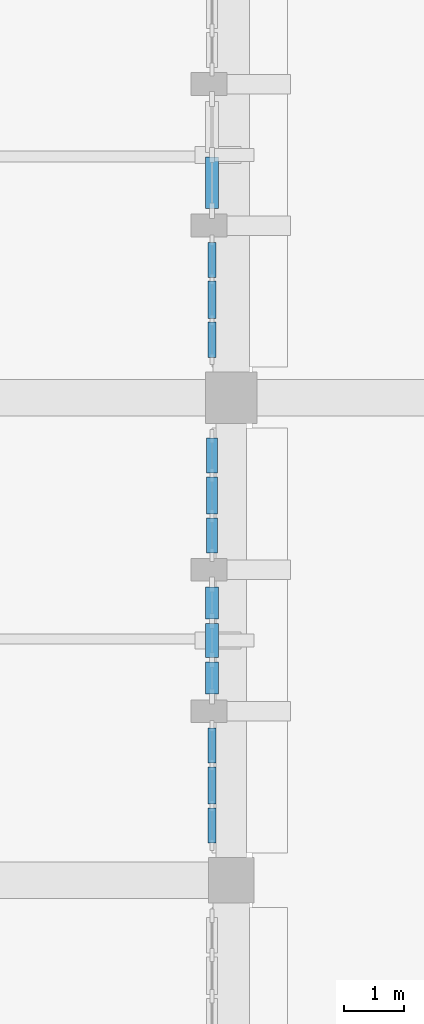
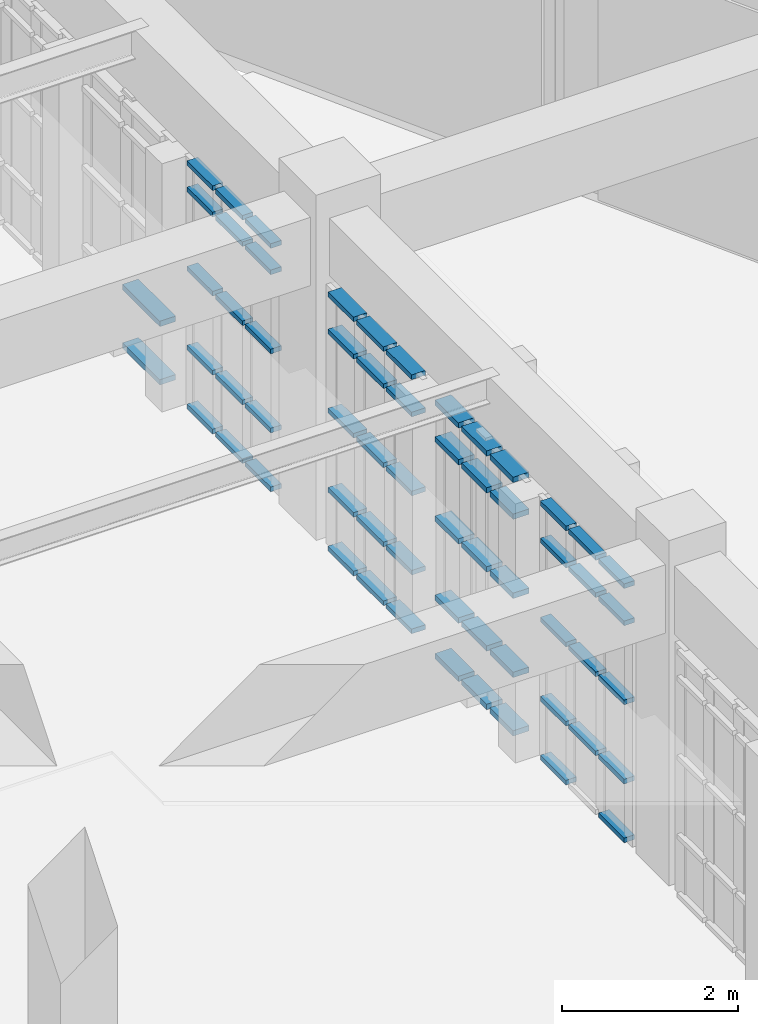
# One storey, part 54 of 155: 61 members, 5 elements without a shape of their own.
"""IFC4 building model written with IfcOpenShell, lengths in metres."""

from ifc_helpers import new_model, si_unit, direction, frame, origin, origin_2d, place, context, subcontext, project, spatial, rectangle, extrude, material, layer, layer_set, material_profile, profile_set, type_object, element, aggregate, save


model = new_model("IFC4")

# Units and contexts
model_context = context("Model", 3, precision=1e-05, world=origin(), true_north=direction((0.0, 1.0)))
body_context = subcontext(model_context, "Body", "Model", "MODEL_VIEW")
ifc_project = project(units=[si_unit("LENGTHUNIT", "METRE"), si_unit("AREAUNIT", "SQUARE_METRE"), si_unit("VOLUMEUNIT", "CUBIC_METRE"), si_unit("PLANEANGLEUNIT", "RADIAN"), si_unit("MASSUNIT", "GRAM", prefix="KILO")], contexts=[model_context])

# Site, building, storey
site_placement = place(None, origin())
site = spatial("IfcSite", under=ifc_project, at=site_placement, CompositionType="ELEMENT")
building_placement = place(site_placement, origin())
building = spatial("IfcBuilding", under=site, at=building_placement, Name="Tazarka Park Arena", CompositionType="ELEMENT")
storey_placement = place(building_placement, frame((0.0, 0.0, 5.39990234375)))
storey = spatial("IfcBuildingStorey", under=building, at=storey_placement, Name="L01", CompositionType="ELEMENT", Elevation=5.39990234375)

# Curtain wall, members
ifc_material_1 = material(Name="Aluminium and low-e glass", Category="aluminium")
ifc_layer_1 = layer(ifc_material_1, 0.179931640625, Name="Aluminium and low-e glass")
ifc_layer_set_1 = layer_set([ifc_layer_1], Name="Aluminium and low-e glass")
curtain_wall_type_1 = type_object("IfcCurtainWallType", Name="CW-06", PredefinedType="NOTDEFINED", material=ifc_layer_set_1)
curtain_wall_1_placement = place(storey_placement, origin())
curtain_wall_1 = element("IfcCurtainWall", 1, at=curtain_wall_1_placement, inside=storey, type_object=curtain_wall_type_1, Name="Curtain Wall CWA-L01-096", PredefinedType="NOTDEFINED")
ifc_material_2 = material(Name="Aluminium 6060-T66", Category="aluminium")
ifc_material_profile_1 = material_profile(ifc_material_2, rectangle(XDim=0.139892578125, YDim=0.06494140625, at=origin_2d()), Name="Aluminium 6060-T66")
ifc_profile_set_1 = profile_set([ifc_material_profile_1], Name="Aluminium 6060-T66")
member_type_1 = type_object("IfcMemberType", Name="CWT-01", PredefinedType="USERDEFINED", material=ifc_profile_set_1)
member_1_placement = place(storey_placement, frame((47.679931640625, 26.526611328125, 0.03271484375), z_axis=(0.0, -1.0, 0.0), x_axis=(1.0, 0.0, 0.0)))
member_1 = element("IfcMember", 2, at=member_1_placement, type_object=member_type_1, Name="CW-06 transom 1.1", ObjectType="TRANSOM", PredefinedType="USERDEFINED", context=body_context, shape_type="SweptSolid", body=[
    extrude(rectangle(XDim=0.139892578125, YDim=0.06494140625, at=origin_2d()), origin(), (0.0, 0.0, 1.0), 0.581298828125),
])
member_2_placement = place(storey_placement, frame((47.679931640625, 26.526611328125, 0.85009765625), z_axis=(0.0, -1.0, 0.0), x_axis=(1.0, 0.0, 0.0)))
member_2 = element("IfcMember", 3, at=member_2_placement, type_object=member_type_1, Name="CW-06 transom 1.2", ObjectType="TRANSOM", PredefinedType="USERDEFINED", context=body_context, shape_type="SweptSolid", body=[
    extrude(rectangle(XDim=0.139892578125, YDim=0.06494140625, at=origin_2d()), origin(), (0.0, 0.0, 1.0), 0.581298828125),
])
member_3_placement = place(storey_placement, frame((47.679931640625, 26.526611328125, 1.9501953125), z_axis=(0.0, -1.0, 0.0), x_axis=(1.0, 0.0, 0.0)))
member_3 = element("IfcMember", 4, at=member_3_placement, type_object=member_type_1, Name="CW-06 transom 1.3", ObjectType="TRANSOM", PredefinedType="USERDEFINED", context=body_context, shape_type="SweptSolid", body=[
    extrude(rectangle(XDim=0.139892578125, YDim=0.06494140625, at=origin_2d()), origin(), (0.0, 0.0, 1.0), 0.581298828125),
])
member_4_placement = place(storey_placement, frame((47.679931640625, 26.526611328125, 3.050048828125), z_axis=(0.0, -1.0, 0.0), x_axis=(1.0, 0.0, 0.0)))
member_4 = element("IfcMember", 5, at=member_4_placement, type_object=member_type_1, Name="CW-06 transom 1.4", ObjectType="TRANSOM", PredefinedType="USERDEFINED", context=body_context, shape_type="SweptSolid", body=[
    extrude(rectangle(XDim=0.139892578125, YDim=0.06494140625, at=origin_2d()), origin(), (0.0, 0.0, 1.0), 0.581298828125),
])
member_5_placement = place(storey_placement, frame((47.679931640625, 26.526611328125, 3.567626953125), z_axis=(0.0, -1.0, 0.0), x_axis=(1.0, 0.0, 0.0)))
member_5 = element("IfcMember", 6, at=member_5_placement, type_object=member_type_1, Name="CW-06 transom 1.5", ObjectType="TRANSOM", PredefinedType="USERDEFINED", context=body_context, shape_type="SweptSolid", body=[
    extrude(rectangle(XDim=0.139892578125, YDim=0.06494140625, at=origin_2d()), origin(), (0.0, 0.0, 1.0), 0.581298828125),
])
member_6_placement = place(storey_placement, frame((47.679931640625, 25.88037109375, 0.85009765625), z_axis=(0.0, -1.0, 0.0), x_axis=(1.0, 0.0, 0.0)))
member_6 = element("IfcMember", 7, at=member_6_placement, type_object=member_type_1, Name="CW-06 transom 2.2", ObjectType="TRANSOM", PredefinedType="USERDEFINED", context=body_context, shape_type="SweptSolid", body=[
    extrude(rectangle(XDim=0.139892578125, YDim=0.06494140625, at=origin_2d()), origin(), (0.0, 0.0, 1.0), 0.614013671875),
])
member_7_placement = place(storey_placement, frame((47.679931640625, 25.88037109375, 1.9501953125), z_axis=(0.0, -1.0, 0.0), x_axis=(1.0, 0.0, 0.0)))
member_7 = element("IfcMember", 8, at=member_7_placement, type_object=member_type_1, Name="CW-06 transom 2.3", ObjectType="TRANSOM", PredefinedType="USERDEFINED", context=body_context, shape_type="SweptSolid", body=[
    extrude(rectangle(XDim=0.139892578125, YDim=0.06494140625, at=origin_2d()), origin(), (0.0, 0.0, 1.0), 0.614013671875),
])
member_8_placement = place(storey_placement, frame((47.679931640625, 25.88037109375, 3.050048828125), z_axis=(0.0, -1.0, 0.0), x_axis=(1.0, 0.0, 0.0)))
member_8 = element("IfcMember", 9, at=member_8_placement, type_object=member_type_1, Name="CW-06 transom 2.4", ObjectType="TRANSOM", PredefinedType="USERDEFINED", context=body_context, shape_type="SweptSolid", body=[
    extrude(rectangle(XDim=0.139892578125, YDim=0.06494140625, at=origin_2d()), origin(), (0.0, 0.0, 1.0), 0.614013671875),
])
member_9_placement = place(storey_placement, frame((47.679931640625, 25.88037109375, 3.567626953125), z_axis=(0.0, -1.0, 0.0), x_axis=(1.0, 0.0, 0.0)))
member_9 = element("IfcMember", 10, at=member_9_placement, type_object=member_type_1, Name="CW-06 transom 2.5", ObjectType="TRANSOM", PredefinedType="USERDEFINED", context=body_context, shape_type="SweptSolid", body=[
    extrude(rectangle(XDim=0.139892578125, YDim=0.06494140625, at=origin_2d()), origin(), (0.0, 0.0, 1.0), 0.614013671875),
])
member_10_placement = place(storey_placement, frame((47.679931640625, 25.201416015625, 0.03271484375), z_axis=(0.0, -1.0, 0.0), x_axis=(1.0, 0.0, 0.0)))
member_10 = element("IfcMember", 11, at=member_10_placement, type_object=member_type_1, Name="CW-06 transom 3.1", ObjectType="TRANSOM", PredefinedType="USERDEFINED", context=body_context, shape_type="SweptSolid", body=[
    extrude(rectangle(XDim=0.139892578125, YDim=0.06494140625, at=origin_2d()), origin(), (0.0, 0.0, 1.0), 0.581298828125),
])
member_11_placement = place(storey_placement, frame((47.679931640625, 25.201416015625, 0.85009765625), z_axis=(0.0, -1.0, 0.0), x_axis=(1.0, 0.0, 0.0)))
member_11 = element("IfcMember", 12, at=member_11_placement, type_object=member_type_1, Name="CW-06 transom 3.2", ObjectType="TRANSOM", PredefinedType="USERDEFINED", context=body_context, shape_type="SweptSolid", body=[
    extrude(rectangle(XDim=0.139892578125, YDim=0.06494140625, at=origin_2d()), origin(), (0.0, 0.0, 1.0), 0.581298828125),
])
member_12_placement = place(storey_placement, frame((47.679931640625, 25.201416015625, 1.9501953125), z_axis=(0.0, -1.0, 0.0), x_axis=(1.0, 0.0, 0.0)))
member_12 = element("IfcMember", 13, at=member_12_placement, type_object=member_type_1, Name="CW-06 transom 3.3", ObjectType="TRANSOM", PredefinedType="USERDEFINED", context=body_context, shape_type="SweptSolid", body=[
    extrude(rectangle(XDim=0.139892578125, YDim=0.06494140625, at=origin_2d()), origin(), (0.0, 0.0, 1.0), 0.581298828125),
])
member_13_placement = place(storey_placement, frame((47.679931640625, 25.201416015625, 3.050048828125), z_axis=(0.0, -1.0, 0.0), x_axis=(1.0, 0.0, 0.0)))
member_13 = element("IfcMember", 14, at=member_13_placement, type_object=member_type_1, Name="CW-06 transom 3.4", ObjectType="TRANSOM", PredefinedType="USERDEFINED", context=body_context, shape_type="SweptSolid", body=[
    extrude(rectangle(XDim=0.139892578125, YDim=0.06494140625, at=origin_2d()), origin(), (0.0, 0.0, 1.0), 0.581298828125),
])
member_14_placement = place(storey_placement, frame((47.679931640625, 25.201416015625, 3.567626953125), z_axis=(0.0, -1.0, 0.0), x_axis=(1.0, 0.0, 0.0)))
member_14 = element("IfcMember", 15, at=member_14_placement, type_object=member_type_1, Name="CW-06 transom 3.5", ObjectType="TRANSOM", PredefinedType="USERDEFINED", context=body_context, shape_type="SweptSolid", body=[
    extrude(rectangle(XDim=0.139892578125, YDim=0.06494140625, at=origin_2d()), origin(), (0.0, 0.0, 1.0), 0.581298828125),
])
aggregate(curtain_wall_1, [member_1, member_2, member_3, member_4, member_5, member_6, member_7, member_8, member_9, member_10, member_11, member_12, member_13, member_14])

ifc_material_3 = material(Name="Aluminium and low-e glass", Category="aluminium")
ifc_layer_2 = layer(ifc_material_3, 0.179931640625, Name="Aluminium and low-e glass")
ifc_layer_set_2 = layer_set([ifc_layer_2], Name="Aluminium and low-e glass")
curtain_wall_type_2 = type_object("IfcCurtainWallType", Name="CW-09", PredefinedType="NOTDEFINED", material=ifc_layer_set_2)
curtain_wall_2_placement = place(storey_placement, origin())
curtain_wall_2 = element("IfcCurtainWall", 16, at=curtain_wall_2_placement, inside=storey, type_object=curtain_wall_type_2, Name="Curtain Wall CWA-L01-099", PredefinedType="NOTDEFINED")
member_15_placement = place(storey_placement, frame((47.679931640625, 34.57666015625, 0.03271484375), z_axis=(0.0, -1.0, 0.0), x_axis=(1.0, 0.0, 0.0)))
member_15 = element("IfcMember", 17, at=member_15_placement, type_object=member_type_1, Name="CW-09 transom 1.1", ObjectType="TRANSOM", PredefinedType="USERDEFINED", context=body_context, shape_type="SweptSolid", body=[
    extrude(rectangle(XDim=0.139892578125, YDim=0.06494140625, at=origin_2d()), origin(), (0.0, 0.0, 1.0), 0.581298828125),
])
member_16_placement = place(storey_placement, frame((47.679931640625, 34.57666015625, 0.85009765625), z_axis=(0.0, -1.0, 0.0), x_axis=(1.0, 0.0, 0.0)))
member_16 = element("IfcMember", 18, at=member_16_placement, type_object=member_type_1, Name="CW-09 transom 1.2", ObjectType="TRANSOM", PredefinedType="USERDEFINED", context=body_context, shape_type="SweptSolid", body=[
    extrude(rectangle(XDim=0.139892578125, YDim=0.06494140625, at=origin_2d()), origin(), (0.0, 0.0, 1.0), 0.581298828125),
])
member_17_placement = place(storey_placement, frame((47.679931640625, 34.57666015625, 1.9501953125), z_axis=(0.0, -1.0, 0.0), x_axis=(1.0, 0.0, 0.0)))
member_17 = element("IfcMember", 19, at=member_17_placement, type_object=member_type_1, Name="CW-09 transom 1.3", ObjectType="TRANSOM", PredefinedType="USERDEFINED", context=body_context, shape_type="SweptSolid", body=[
    extrude(rectangle(XDim=0.139892578125, YDim=0.06494140625, at=origin_2d()), origin(), (0.0, 0.0, 1.0), 0.581298828125),
])
member_18_placement = place(storey_placement, frame((47.679931640625, 34.57666015625, 3.050048828125), z_axis=(0.0, -1.0, 0.0), x_axis=(1.0, 0.0, 0.0)))
member_18 = element("IfcMember", 20, at=member_18_placement, type_object=member_type_1, Name="CW-09 transom 1.4", ObjectType="TRANSOM", PredefinedType="USERDEFINED", context=body_context, shape_type="SweptSolid", body=[
    extrude(rectangle(XDim=0.139892578125, YDim=0.06494140625, at=origin_2d()), origin(), (0.0, 0.0, 1.0), 0.581298828125),
])
member_19_placement = place(storey_placement, frame((47.679931640625, 34.57666015625, 3.41748046875), z_axis=(0.0, -1.0, 0.0), x_axis=(1.0, 0.0, 0.0)))
member_19 = element("IfcMember", 21, at=member_19_placement, type_object=member_type_1, Name="CW-09 transom 1.5", ObjectType="TRANSOM", PredefinedType="USERDEFINED", context=body_context, shape_type="SweptSolid", body=[
    extrude(rectangle(XDim=0.139892578125, YDim=0.06494140625, at=origin_2d()), origin(), (0.0, 0.0, 1.0), 0.581298828125),
])
member_20_placement = place(storey_placement, frame((47.679931640625, 33.930419921875, 0.03271484375), z_axis=(0.0, -1.0, 0.0), x_axis=(1.0, 0.0, 0.0)))
member_20 = element("IfcMember", 22, at=member_20_placement, type_object=member_type_1, Name="CW-09 transom 2.1", ObjectType="TRANSOM", PredefinedType="USERDEFINED", context=body_context, shape_type="SweptSolid", body=[
    extrude(rectangle(XDim=0.139892578125, YDim=0.06494140625, at=origin_2d()), origin(), (0.0, 0.0, 1.0), 0.614013671875),
])
member_21_placement = place(storey_placement, frame((47.679931640625, 33.930419921875, 0.85009765625), z_axis=(0.0, -1.0, 0.0), x_axis=(1.0, 0.0, 0.0)))
member_21 = element("IfcMember", 23, at=member_21_placement, type_object=member_type_1, Name="CW-09 transom 2.2", ObjectType="TRANSOM", PredefinedType="USERDEFINED", context=body_context, shape_type="SweptSolid", body=[
    extrude(rectangle(XDim=0.139892578125, YDim=0.06494140625, at=origin_2d()), origin(), (0.0, 0.0, 1.0), 0.614013671875),
])
member_22_placement = place(storey_placement, frame((47.679931640625, 33.930419921875, 1.9501953125), z_axis=(0.0, -1.0, 0.0), x_axis=(1.0, 0.0, 0.0)))
member_22 = element("IfcMember", 24, at=member_22_placement, type_object=member_type_1, Name="CW-09 transom 2.3", ObjectType="TRANSOM", PredefinedType="USERDEFINED", context=body_context, shape_type="SweptSolid", body=[
    extrude(rectangle(XDim=0.139892578125, YDim=0.06494140625, at=origin_2d()), origin(), (0.0, 0.0, 1.0), 0.614013671875),
])
member_23_placement = place(storey_placement, frame((47.679931640625, 33.930419921875, 3.050048828125), z_axis=(0.0, -1.0, 0.0), x_axis=(1.0, 0.0, 0.0)))
member_23 = element("IfcMember", 25, at=member_23_placement, type_object=member_type_1, Name="CW-09 transom 2.4", ObjectType="TRANSOM", PredefinedType="USERDEFINED", context=body_context, shape_type="SweptSolid", body=[
    extrude(rectangle(XDim=0.139892578125, YDim=0.06494140625, at=origin_2d()), origin(), (0.0, 0.0, 1.0), 0.614013671875),
])
member_24_placement = place(storey_placement, frame((47.679931640625, 33.930419921875, 3.41748046875), z_axis=(0.0, -1.0, 0.0), x_axis=(1.0, 0.0, 0.0)))
member_24 = element("IfcMember", 26, at=member_24_placement, type_object=member_type_1, Name="CW-09 transom 2.5", ObjectType="TRANSOM", PredefinedType="USERDEFINED", context=body_context, shape_type="SweptSolid", body=[
    extrude(rectangle(XDim=0.139892578125, YDim=0.06494140625, at=origin_2d()), origin(), (0.0, 0.0, 1.0), 0.614013671875),
])
member_25_placement = place(storey_placement, frame((47.679931640625, 33.25146484375, 0.03271484375), z_axis=(0.0, -1.0, 0.0), x_axis=(1.0, 0.0, 0.0)))
member_25 = element("IfcMember", 27, at=member_25_placement, type_object=member_type_1, Name="CW-09 transom 3.1", ObjectType="TRANSOM", PredefinedType="USERDEFINED", context=body_context, shape_type="SweptSolid", body=[
    extrude(rectangle(XDim=0.139892578125, YDim=0.06494140625, at=origin_2d()), origin(), (0.0, 0.0, 1.0), 0.58154296875),
])
member_26_placement = place(storey_placement, frame((47.679931640625, 33.25146484375, 0.85009765625), z_axis=(0.0, -1.0, 0.0), x_axis=(1.0, 0.0, 0.0)))
member_26 = element("IfcMember", 28, at=member_26_placement, type_object=member_type_1, Name="CW-09 transom 3.2", ObjectType="TRANSOM", PredefinedType="USERDEFINED", context=body_context, shape_type="SweptSolid", body=[
    extrude(rectangle(XDim=0.139892578125, YDim=0.06494140625, at=origin_2d()), origin(), (0.0, 0.0, 1.0), 0.58154296875),
])
member_27_placement = place(storey_placement, frame((47.679931640625, 33.25146484375, 1.9501953125), z_axis=(0.0, -1.0, 0.0), x_axis=(1.0, 0.0, 0.0)))
member_27 = element("IfcMember", 29, at=member_27_placement, type_object=member_type_1, Name="CW-09 transom 3.3", ObjectType="TRANSOM", PredefinedType="USERDEFINED", context=body_context, shape_type="SweptSolid", body=[
    extrude(rectangle(XDim=0.139892578125, YDim=0.06494140625, at=origin_2d()), origin(), (0.0, 0.0, 1.0), 0.58154296875),
])
member_28_placement = place(storey_placement, frame((47.679931640625, 33.25146484375, 3.050048828125), z_axis=(0.0, -1.0, 0.0), x_axis=(1.0, 0.0, 0.0)))
member_28 = element("IfcMember", 30, at=member_28_placement, type_object=member_type_1, Name="CW-09 transom 3.4", ObjectType="TRANSOM", PredefinedType="USERDEFINED", context=body_context, shape_type="SweptSolid", body=[
    extrude(rectangle(XDim=0.139892578125, YDim=0.06494140625, at=origin_2d()), origin(), (0.0, 0.0, 1.0), 0.58154296875),
])
member_29_placement = place(storey_placement, frame((47.679931640625, 33.25146484375, 3.41748046875), z_axis=(0.0, -1.0, 0.0), x_axis=(1.0, 0.0, 0.0)))
member_29 = element("IfcMember", 31, at=member_29_placement, type_object=member_type_1, Name="CW-09 transom 3.5", ObjectType="TRANSOM", PredefinedType="USERDEFINED", context=body_context, shape_type="SweptSolid", body=[
    extrude(rectangle(XDim=0.139892578125, YDim=0.06494140625, at=origin_2d()), origin(), (0.0, 0.0, 1.0), 0.58154296875),
])
aggregate(curtain_wall_2, [member_15, member_16, member_17, member_18, member_19, member_20, member_21, member_22, member_23, member_24, member_25, member_26, member_27, member_28, member_29])

ifc_material_4 = material(Name="Aluminium and low-e glass", Category="aluminium")
ifc_layer_3 = layer(ifc_material_4, 0.179931640625, Name="Aluminium and low-e glass")
ifc_layer_set_3 = layer_set([ifc_layer_3], Name="Aluminium and low-e glass")
curtain_wall_type_3 = type_object("IfcCurtainWallType", Name="CW-04", PredefinedType="NOTDEFINED", material=ifc_layer_set_3)
curtain_wall_3_placement = place(storey_placement, origin())
curtain_wall_3 = element("IfcCurtainWall", 32, at=curtain_wall_3_placement, inside=storey, type_object=curtain_wall_type_3, Name="Curtain Wall CWA-L01-094", PredefinedType="NOTDEFINED")
ifc_material_5 = material(Name="Aluminium 6060-T66", Category="aluminium")
ifc_material_profile_2 = material_profile(ifc_material_5, rectangle(XDim=0.179931640625, YDim=0.06494140625, at=origin_2d()), Name="Aluminium 6060-T66")
ifc_profile_set_2 = profile_set([ifc_material_profile_2], Name="Aluminium 6060-T66")
member_type_2 = type_object("IfcMemberType", Name="CWT-02", PredefinedType="USERDEFINED", material=ifc_profile_set_2)
member_30_placement = place(storey_placement, frame((47.679931640625, 31.330078125, 0.03271484375), z_axis=(0.0, -1.0, 0.0), x_axis=(1.0, 0.0, 0.0)))
member_30 = element("IfcMember", 33, at=member_30_placement, type_object=member_type_2, Name="CW-04 transom 1.1", ObjectType="TRANSOM", PredefinedType="USERDEFINED", context=body_context, shape_type="SweptSolid", body=[
    extrude(rectangle(XDim=0.179931640625, YDim=0.06494140625, at=origin_2d()), origin(), (0.0, 0.0, 1.0), 0.58154296875),
])
member_31_placement = place(storey_placement, frame((47.679931640625, 31.330078125, 0.85009765625), z_axis=(0.0, -1.0, 0.0), x_axis=(1.0, 0.0, 0.0)))
member_31 = element("IfcMember", 34, at=member_31_placement, type_object=member_type_2, Name="CW-04 transom 1.2", ObjectType="TRANSOM", PredefinedType="USERDEFINED", context=body_context, shape_type="SweptSolid", body=[
    extrude(rectangle(XDim=0.179931640625, YDim=0.06494140625, at=origin_2d()), origin(), (0.0, 0.0, 1.0), 0.58154296875),
])
member_32_placement = place(storey_placement, frame((47.679931640625, 31.330078125, 1.9501953125), z_axis=(0.0, -1.0, 0.0), x_axis=(1.0, 0.0, 0.0)))
member_32 = element("IfcMember", 35, at=member_32_placement, type_object=member_type_2, Name="CW-04 transom 1.3", ObjectType="TRANSOM", PredefinedType="USERDEFINED", context=body_context, shape_type="SweptSolid", body=[
    extrude(rectangle(XDim=0.179931640625, YDim=0.06494140625, at=origin_2d()), origin(), (0.0, 0.0, 1.0), 0.58154296875),
])
member_33_placement = place(storey_placement, frame((47.679931640625, 31.330078125, 3.050048828125), z_axis=(0.0, -1.0, 0.0), x_axis=(1.0, 0.0, 0.0)))
member_33 = element("IfcMember", 36, at=member_33_placement, type_object=member_type_2, Name="CW-04 transom 1.4", ObjectType="TRANSOM", PredefinedType="USERDEFINED", context=body_context, shape_type="SweptSolid", body=[
    extrude(rectangle(XDim=0.179931640625, YDim=0.06494140625, at=origin_2d()), origin(), (0.0, 0.0, 1.0), 0.58154296875),
])
member_34_placement = place(storey_placement, frame((47.679931640625, 31.330078125, 3.567626953125), z_axis=(0.0, -1.0, 0.0), x_axis=(1.0, 0.0, 0.0)))
member_34 = element("IfcMember", 37, at=member_34_placement, type_object=member_type_2, Name="CW-04 transom 1.5", ObjectType="TRANSOM", PredefinedType="USERDEFINED", context=body_context, shape_type="SweptSolid", body=[
    extrude(rectangle(XDim=0.179931640625, YDim=0.06494140625, at=origin_2d()), origin(), (0.0, 0.0, 1.0), 0.58154296875),
])
member_35_placement = place(storey_placement, frame((47.679931640625, 30.68359375, 0.03271484375), z_axis=(0.0, -1.0, 0.0), x_axis=(1.0, 0.0, 0.0)))
member_35 = element("IfcMember", 38, at=member_35_placement, type_object=member_type_2, Name="CW-04 transom 2.1", ObjectType="TRANSOM", PredefinedType="USERDEFINED", context=body_context, shape_type="SweptSolid", body=[
    extrude(rectangle(XDim=0.179931640625, YDim=0.06494140625, at=origin_2d()), origin(), (0.0, 0.0, 1.0), 0.614013671875),
])
member_36_placement = place(storey_placement, frame((47.679931640625, 30.68359375, 0.85009765625), z_axis=(0.0, -1.0, 0.0), x_axis=(1.0, 0.0, 0.0)))
member_36 = element("IfcMember", 39, at=member_36_placement, type_object=member_type_2, Name="CW-04 transom 2.2", ObjectType="TRANSOM", PredefinedType="USERDEFINED", context=body_context, shape_type="SweptSolid", body=[
    extrude(rectangle(XDim=0.179931640625, YDim=0.06494140625, at=origin_2d()), origin(), (0.0, 0.0, 1.0), 0.614013671875),
])
member_37_placement = place(storey_placement, frame((47.679931640625, 30.68359375, 1.9501953125), z_axis=(0.0, -1.0, 0.0), x_axis=(1.0, 0.0, 0.0)))
member_37 = element("IfcMember", 40, at=member_37_placement, type_object=member_type_2, Name="CW-04 transom 2.3", ObjectType="TRANSOM", PredefinedType="USERDEFINED", context=body_context, shape_type="SweptSolid", body=[
    extrude(rectangle(XDim=0.179931640625, YDim=0.06494140625, at=origin_2d()), origin(), (0.0, 0.0, 1.0), 0.614013671875),
])
member_38_placement = place(storey_placement, frame((47.679931640625, 30.68359375, 3.050048828125), z_axis=(0.0, -1.0, 0.0), x_axis=(1.0, 0.0, 0.0)))
member_38 = element("IfcMember", 41, at=member_38_placement, type_object=member_type_2, Name="CW-04 transom 2.4", ObjectType="TRANSOM", PredefinedType="USERDEFINED", context=body_context, shape_type="SweptSolid", body=[
    extrude(rectangle(XDim=0.179931640625, YDim=0.06494140625, at=origin_2d()), origin(), (0.0, 0.0, 1.0), 0.614013671875),
])
member_39_placement = place(storey_placement, frame((47.679931640625, 30.68359375, 3.567626953125), z_axis=(0.0, -1.0, 0.0), x_axis=(1.0, 0.0, 0.0)))
member_39 = element("IfcMember", 42, at=member_39_placement, type_object=member_type_2, Name="CW-04 transom 2.5", ObjectType="TRANSOM", PredefinedType="USERDEFINED", context=body_context, shape_type="SweptSolid", body=[
    extrude(rectangle(XDim=0.179931640625, YDim=0.06494140625, at=origin_2d()), origin(), (0.0, 0.0, 1.0), 0.614013671875),
])
member_40_placement = place(storey_placement, frame((47.679931640625, 30.004638671875, 0.03271484375), z_axis=(0.0, -1.0, 0.0), x_axis=(1.0, 0.0, 0.0)))
member_40 = element("IfcMember", 43, at=member_40_placement, type_object=member_type_2, Name="CW-04 transom 3.1", ObjectType="TRANSOM", PredefinedType="USERDEFINED", context=body_context, shape_type="SweptSolid", body=[
    extrude(rectangle(XDim=0.179931640625, YDim=0.06494140625, at=origin_2d()), origin(), (0.0, 0.0, 1.0), 0.581298828125),
])
member_41_placement = place(storey_placement, frame((47.679931640625, 30.004638671875, 0.85009765625), z_axis=(0.0, -1.0, 0.0), x_axis=(1.0, 0.0, 0.0)))
member_41 = element("IfcMember", 44, at=member_41_placement, type_object=member_type_2, Name="CW-04 transom 3.2", ObjectType="TRANSOM", PredefinedType="USERDEFINED", context=body_context, shape_type="SweptSolid", body=[
    extrude(rectangle(XDim=0.179931640625, YDim=0.06494140625, at=origin_2d()), origin(), (0.0, 0.0, 1.0), 0.581298828125),
])
member_42_placement = place(storey_placement, frame((47.679931640625, 30.004638671875, 1.9501953125), z_axis=(0.0, -1.0, 0.0), x_axis=(1.0, 0.0, 0.0)))
member_42 = element("IfcMember", 45, at=member_42_placement, type_object=member_type_2, Name="CW-04 transom 3.3", ObjectType="TRANSOM", PredefinedType="USERDEFINED", context=body_context, shape_type="SweptSolid", body=[
    extrude(rectangle(XDim=0.179931640625, YDim=0.06494140625, at=origin_2d()), origin(), (0.0, 0.0, 1.0), 0.581298828125),
])
member_43_placement = place(storey_placement, frame((47.679931640625, 30.004638671875, 3.050048828125), z_axis=(0.0, -1.0, 0.0), x_axis=(1.0, 0.0, 0.0)))
member_43 = element("IfcMember", 46, at=member_43_placement, type_object=member_type_2, Name="CW-04 transom 3.4", ObjectType="TRANSOM", PredefinedType="USERDEFINED", context=body_context, shape_type="SweptSolid", body=[
    extrude(rectangle(XDim=0.179931640625, YDim=0.06494140625, at=origin_2d()), origin(), (0.0, 0.0, 1.0), 0.581298828125),
])
member_44_placement = place(storey_placement, frame((47.679931640625, 30.004638671875, 3.567626953125), z_axis=(0.0, -1.0, 0.0), x_axis=(1.0, 0.0, 0.0)))
member_44 = element("IfcMember", 47, at=member_44_placement, type_object=member_type_2, Name="CW-04 transom 3.5", ObjectType="TRANSOM", PredefinedType="USERDEFINED", context=body_context, shape_type="SweptSolid", body=[
    extrude(rectangle(XDim=0.179931640625, YDim=0.06494140625, at=origin_2d()), origin(), (0.0, 0.0, 1.0), 0.581298828125),
])
aggregate(curtain_wall_3, [member_30, member_31, member_32, member_33, member_34, member_35, member_36, member_37, member_38, member_39, member_40, member_41, member_42, member_43, member_44])

ifc_material_6 = material(Name="Aluminium and low-e glass", Category="aluminium")
ifc_layer_4 = layer(ifc_material_6, 0.179931640625, Name="Aluminium and low-e glass")
ifc_layer_set_4 = layer_set([ifc_layer_4], Name="Aluminium and low-e glass")
curtain_wall_type_4 = type_object("IfcCurtainWallType", Name="CW-05", PredefinedType="NOTDEFINED", material=ifc_layer_set_4)
curtain_wall_4_placement = place(storey_placement, origin())
curtain_wall_4 = element("IfcCurtainWall", 48, at=curtain_wall_4_placement, inside=storey, type_object=curtain_wall_type_4, Name="Curtain Wall CWA-L01-095", PredefinedType="NOTDEFINED")
ifc_material_7 = material(Name="Aluminium 6060-T66", Category="aluminium")
ifc_material_profile_3 = material_profile(ifc_material_7, rectangle(XDim=0.2099609375, YDim=0.074951171875, at=origin_2d()), Name="Aluminium 6060-T66")
ifc_profile_set_3 = profile_set([ifc_material_profile_3], Name="Aluminium 6060-T66")
member_type_3 = type_object("IfcMemberType", Name="CWT-03", PredefinedType="USERDEFINED", material=ifc_profile_set_3)
member_45_placement = place(storey_placement, frame((47.679931640625, 28.86328125, 0.03759765625), z_axis=(0.0, -1.0, 0.0), x_axis=(1.0, 0.0, 0.0)))
member_45 = element("IfcMember", 49, at=member_45_placement, type_object=member_type_3, Name="CW-05 transom 1.1", ObjectType="TRANSOM", PredefinedType="USERDEFINED", context=body_context, shape_type="SweptSolid", body=[
    extrude(rectangle(XDim=0.2099609375, YDim=0.074951171875, at=origin_2d()), origin(), (0.0, 0.0, 1.0), 0.52978515625),
])
member_46_placement = place(storey_placement, frame((47.679931640625, 28.86328125, 0.85009765625), z_axis=(0.0, -1.0, 0.0), x_axis=(1.0, 0.0, 0.0)))
member_46 = element("IfcMember", 50, at=member_46_placement, type_object=member_type_3, Name="CW-05 transom 1.2", ObjectType="TRANSOM", PredefinedType="USERDEFINED", context=body_context, shape_type="SweptSolid", body=[
    extrude(rectangle(XDim=0.2099609375, YDim=0.074951171875, at=origin_2d()), origin(), (0.0, 0.0, 1.0), 0.52978515625),
])
member_47_placement = place(storey_placement, frame((47.679931640625, 28.86328125, 1.9501953125), z_axis=(0.0, -1.0, 0.0), x_axis=(1.0, 0.0, 0.0)))
member_47 = element("IfcMember", 51, at=member_47_placement, type_object=member_type_3, Name="CW-05 transom 1.3", ObjectType="TRANSOM", PredefinedType="USERDEFINED", context=body_context, shape_type="SweptSolid", body=[
    extrude(rectangle(XDim=0.2099609375, YDim=0.074951171875, at=origin_2d()), origin(), (0.0, 0.0, 1.0), 0.52978515625),
])
member_48_placement = place(storey_placement, frame((47.679931640625, 28.86328125, 3.050048828125), z_axis=(0.0, -1.0, 0.0), x_axis=(1.0, 0.0, 0.0)))
member_48 = element("IfcMember", 52, at=member_48_placement, type_object=member_type_3, Name="CW-05 transom 1.4", ObjectType="TRANSOM", PredefinedType="USERDEFINED", context=body_context, shape_type="SweptSolid", body=[
    extrude(rectangle(XDim=0.2099609375, YDim=0.074951171875, at=origin_2d()), origin(), (0.0, 0.0, 1.0), 0.52978515625),
])
member_49_placement = place(storey_placement, frame((47.679931640625, 28.86328125, 3.5625), z_axis=(0.0, -1.0, 0.0), x_axis=(1.0, 0.0, 0.0)))
member_49 = element("IfcMember", 53, at=member_49_placement, type_object=member_type_3, Name="CW-05 transom 1.5", ObjectType="TRANSOM", PredefinedType="USERDEFINED", context=body_context, shape_type="SweptSolid", body=[
    extrude(rectangle(XDim=0.2099609375, YDim=0.074951171875, at=origin_2d()), origin(), (0.0, 0.0, 1.0), 0.52978515625),
])
member_50_placement = place(storey_placement, frame((47.679931640625, 28.258544921875, 0.03759765625), z_axis=(0.0, -1.0, 0.0), x_axis=(1.0, 0.0, 0.0)))
member_50 = element("IfcMember", 54, at=member_50_placement, type_object=member_type_3, Name="CW-05 transom 2.1", ObjectType="TRANSOM", PredefinedType="USERDEFINED", context=body_context, shape_type="SweptSolid", body=[
    extrude(rectangle(XDim=0.2099609375, YDim=0.074951171875, at=origin_2d()), origin(), (0.0, 0.0, 1.0), 0.567138671875),
])
member_51_placement = place(storey_placement, frame((47.679931640625, 28.258544921875, 0.85009765625), z_axis=(0.0, -1.0, 0.0), x_axis=(1.0, 0.0, 0.0)))
member_51 = element("IfcMember", 55, at=member_51_placement, type_object=member_type_3, Name="CW-05 transom 2.2", ObjectType="TRANSOM", PredefinedType="USERDEFINED", context=body_context, shape_type="SweptSolid", body=[
    extrude(rectangle(XDim=0.2099609375, YDim=0.074951171875, at=origin_2d()), origin(), (0.0, 0.0, 1.0), 0.567138671875),
])
member_52_placement = place(storey_placement, frame((47.679931640625, 28.258544921875, 1.9501953125), z_axis=(0.0, -1.0, 0.0), x_axis=(1.0, 0.0, 0.0)))
member_52 = element("IfcMember", 56, at=member_52_placement, type_object=member_type_3, Name="CW-05 transom 2.3", ObjectType="TRANSOM", PredefinedType="USERDEFINED", context=body_context, shape_type="SweptSolid", body=[
    extrude(rectangle(XDim=0.2099609375, YDim=0.074951171875, at=origin_2d()), origin(), (0.0, 0.0, 1.0), 0.567138671875),
])
member_53_placement = place(storey_placement, frame((47.679931640625, 28.258544921875, 3.050048828125), z_axis=(0.0, -1.0, 0.0), x_axis=(1.0, 0.0, 0.0)))
member_53 = element("IfcMember", 57, at=member_53_placement, type_object=member_type_3, Name="CW-05 transom 2.4", ObjectType="TRANSOM", PredefinedType="USERDEFINED", context=body_context, shape_type="SweptSolid", body=[
    extrude(rectangle(XDim=0.2099609375, YDim=0.074951171875, at=origin_2d()), origin(), (0.0, 0.0, 1.0), 0.567138671875),
])
member_54_placement = place(storey_placement, frame((47.679931640625, 28.258544921875, 3.5625), z_axis=(0.0, -1.0, 0.0), x_axis=(1.0, 0.0, 0.0)))
member_54 = element("IfcMember", 58, at=member_54_placement, type_object=member_type_3, Name="CW-05 transom 2.5", ObjectType="TRANSOM", PredefinedType="USERDEFINED", context=body_context, shape_type="SweptSolid", body=[
    extrude(rectangle(XDim=0.2099609375, YDim=0.074951171875, at=origin_2d()), origin(), (0.0, 0.0, 1.0), 0.567138671875),
])
member_55_placement = place(storey_placement, frame((47.679931640625, 27.616455078125, 0.03759765625), z_axis=(0.0, -1.0, 0.0), x_axis=(1.0, 0.0, 0.0)))
member_55 = element("IfcMember", 59, at=member_55_placement, type_object=member_type_3, Name="CW-05 transom 3.1", ObjectType="TRANSOM", PredefinedType="USERDEFINED", context=body_context, shape_type="SweptSolid", body=[
    extrude(rectangle(XDim=0.2099609375, YDim=0.074951171875, at=origin_2d()), origin(), (0.0, 0.0, 1.0), 0.52978515625),
])
member_56_placement = place(storey_placement, frame((47.679931640625, 27.616455078125, 0.85009765625), z_axis=(0.0, -1.0, 0.0), x_axis=(1.0, 0.0, 0.0)))
member_56 = element("IfcMember", 60, at=member_56_placement, type_object=member_type_3, Name="CW-05 transom 3.2", ObjectType="TRANSOM", PredefinedType="USERDEFINED", context=body_context, shape_type="SweptSolid", body=[
    extrude(rectangle(XDim=0.2099609375, YDim=0.074951171875, at=origin_2d()), origin(), (0.0, 0.0, 1.0), 0.52978515625),
])
member_57_placement = place(storey_placement, frame((47.679931640625, 27.616455078125, 1.9501953125), z_axis=(0.0, -1.0, 0.0), x_axis=(1.0, 0.0, 0.0)))
member_57 = element("IfcMember", 61, at=member_57_placement, type_object=member_type_3, Name="CW-05 transom 3.3", ObjectType="TRANSOM", PredefinedType="USERDEFINED", context=body_context, shape_type="SweptSolid", body=[
    extrude(rectangle(XDim=0.2099609375, YDim=0.074951171875, at=origin_2d()), origin(), (0.0, 0.0, 1.0), 0.52978515625),
])
member_58_placement = place(storey_placement, frame((47.679931640625, 27.616455078125, 3.050048828125), z_axis=(0.0, -1.0, 0.0), x_axis=(1.0, 0.0, 0.0)))
member_58 = element("IfcMember", 62, at=member_58_placement, type_object=member_type_3, Name="CW-05 transom 3.4", ObjectType="TRANSOM", PredefinedType="USERDEFINED", context=body_context, shape_type="SweptSolid", body=[
    extrude(rectangle(XDim=0.2099609375, YDim=0.074951171875, at=origin_2d()), origin(), (0.0, 0.0, 1.0), 0.52978515625),
])
member_59_placement = place(storey_placement, frame((47.679931640625, 27.616455078125, 3.5625), z_axis=(0.0, -1.0, 0.0), x_axis=(1.0, 0.0, 0.0)))
member_59 = element("IfcMember", 63, at=member_59_placement, type_object=member_type_3, Name="CW-05 transom 3.5", ObjectType="TRANSOM", PredefinedType="USERDEFINED", context=body_context, shape_type="SweptSolid", body=[
    extrude(rectangle(XDim=0.2099609375, YDim=0.074951171875, at=origin_2d()), origin(), (0.0, 0.0, 1.0), 0.52978515625),
])
aggregate(curtain_wall_4, [member_45, member_46, member_47, member_48, member_49, member_50, member_51, member_52, member_53, member_54, member_55, member_56, member_57, member_58, member_59])

ifc_material_8 = material(Name="Aluminium and low-e glass", Category="aluminium")
ifc_layer_5 = layer(ifc_material_8, 0.179931640625, Name="Aluminium and low-e glass")
ifc_layer_set_5 = layer_set([ifc_layer_5], Name="Aluminium and low-e glass")
curtain_wall_type_5 = type_object("IfcCurtainWallType", Name="CW-08", PredefinedType="NOTDEFINED", material=ifc_layer_set_5)
curtain_wall_5_placement = place(storey_placement, origin())
curtain_wall_5 = element("IfcCurtainWall", 64, at=curtain_wall_5_placement, inside=storey, type_object=curtain_wall_type_5, Name="Curtain Wall CWA-L01-098", PredefinedType="NOTDEFINED")
member_60_placement = place(storey_placement, frame((47.679931640625, 35.987548828125, 0.03759765625), z_axis=(0.0, -1.0, 0.0), x_axis=(1.0, 0.0, 0.0)))
member_60 = element("IfcMember", 65, at=member_60_placement, type_object=member_type_3, Name="CW-08 transom 2.1", ObjectType="TRANSOM", PredefinedType="USERDEFINED", context=body_context, shape_type="SweptSolid", body=[
    extrude(rectangle(XDim=0.2099609375, YDim=0.074951171875, at=origin_2d()), origin(), (0.0, 0.0, 1.0), 0.850830078125),
])
member_61_placement = place(storey_placement, frame((47.679931640625, 35.987548828125, 0.85009765625), z_axis=(0.0, -1.0, 0.0), x_axis=(1.0, 0.0, 0.0)))
member_61 = element("IfcMember", 66, at=member_61_placement, type_object=member_type_3, Name="CW-08 transom 2.2", ObjectType="TRANSOM", PredefinedType="USERDEFINED", context=body_context, shape_type="SweptSolid", body=[
    extrude(rectangle(XDim=0.2099609375, YDim=0.074951171875, at=origin_2d()), origin(), (0.0, 0.0, 1.0), 0.850830078125),
])
aggregate(curtain_wall_5, [member_60, member_61])

save(model, "model.ifc")
